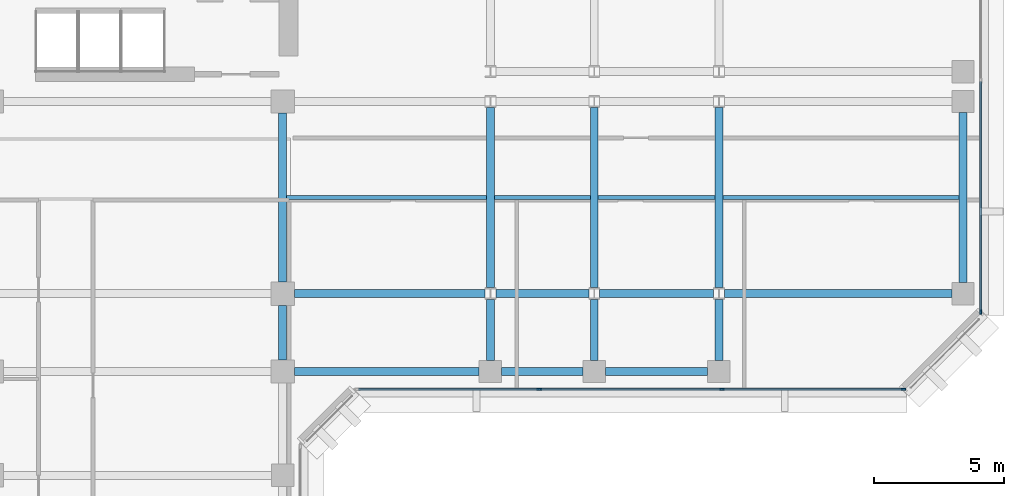
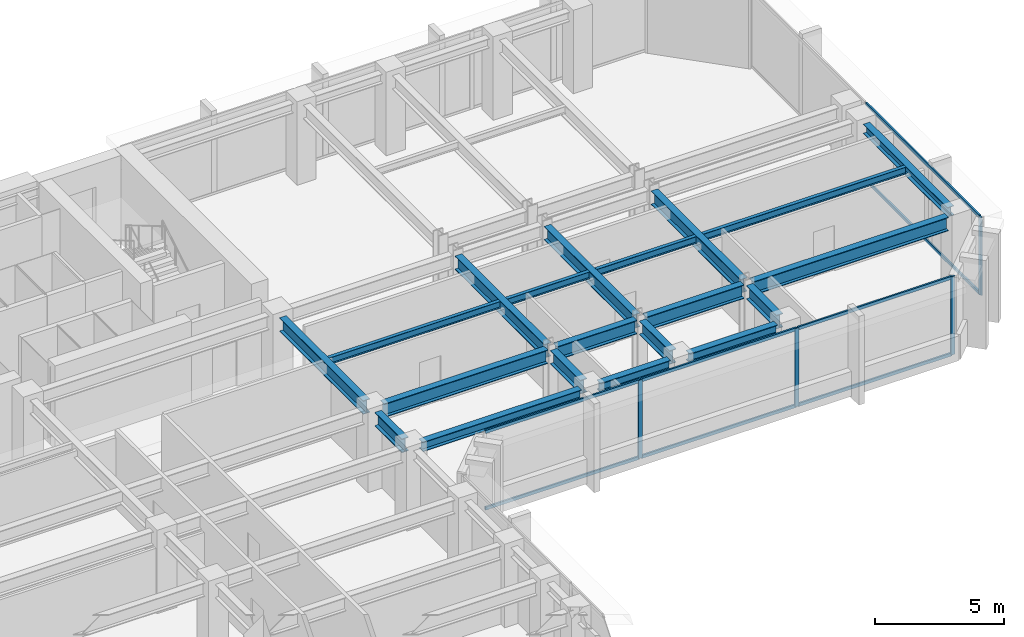
# One storey, part 3 of 12: 20 beams, 12 members, 2 elements without a shape of their own.
"""IFC4 building model written with IfcOpenShell, lengths in metres."""

from ifc_helpers import new_model, si_unit, direction, frame, origin, origin_2d, place, context, subcontext, project, spatial, rectangle, i_section, extrude, material, layer, layer_set, material_profile, profile_set, type_object, element, aggregate, save


model = new_model("IFC4")

# Units and contexts
model_context = context("Model", 3, precision=1e-05, world=origin(), true_north=direction((0.0, 1.0)))
body_context = subcontext(model_context, "Body", "Model", "MODEL_VIEW")
ifc_project = project(units=[si_unit("LENGTHUNIT", "METRE"), si_unit("AREAUNIT", "SQUARE_METRE"), si_unit("VOLUMEUNIT", "CUBIC_METRE"), si_unit("PLANEANGLEUNIT", "RADIAN"), si_unit("MASSUNIT", "GRAM", prefix="KILO")], contexts=[model_context])

# Site, building, storey
site_placement = place(None, origin())
site = spatial("IfcSite", under=ifc_project, at=site_placement, CompositionType="ELEMENT")
building_placement = place(site_placement, origin())
building = spatial("IfcBuilding", under=site, at=building_placement, Name="Kefirva Bronze Tower", CompositionType="ELEMENT")
storey_placement = place(building_placement, frame((0.0, 0.0, 114.510009765625)))
storey = spatial("IfcBuildingStorey", under=building, at=storey_placement, Name="L27", CompositionType="ELEMENT", Elevation=114.510009765625)

# Curtain wall, members
ifc_material_1 = material(Name="Bronze anodised aluminium", Category="aluminium")
ifc_layer = layer(ifc_material_1, 0.199951171875, Name="Bronze anodised aluminium")
ifc_layer_set = layer_set([ifc_layer], Name="Bronze anodised aluminium")
curtain_wall_type = type_object("IfcCurtainWallType", Name="Unitised Bronze Ribbon Curtain Wall Zone 2", PredefinedType="USERDEFINED", material=ifc_layer_set)
curtain_wall_1_placement = place(storey_placement, origin())
curtain_wall_1 = element("IfcCurtainWall", 1, at=curtain_wall_1_placement, inside=storey, type_object=curtain_wall_type, Name="L27 Curtain Wall 3", ObjectType="UNITISED CURTAIN WALL", PredefinedType="USERDEFINED")
ifc_material_profile_1 = material_profile(ifc_material_1, rectangle(XDim=0.074951171875, YDim=0.179931640625, at=origin_2d()), Name="ALU 75x180")
ifc_profile_set_1 = profile_set([ifc_material_profile_1], Name="Bronze anodised aluminium")
member_type_1 = type_object("IfcMemberType", Name="Bronze Mullion 75x180", PredefinedType="MULLION", material=ifc_profile_set_1)
member_1_placement = place(storey_placement, frame((33.0849609375, 22.1201171875, 0.0), z_axis=(0.0, 0.0, 1.0), x_axis=(0.0, 1.0, 0.0)))
member_1 = element("IfcMember", 2, at=member_1_placement, type_object=member_type_1, Name="CW-02 mullion 2", PredefinedType="MULLION", context=body_context, shape_type="SweptSolid", body=[
    extrude(rectangle(XDim=0.074951171875, YDim=0.179931640625, at=origin_2d()), origin(), (0.0, 0.0, 1.0), 3.7099609375),
])
member_2_placement = place(storey_placement, frame((40.114990234375, 22.1201171875, 0.0), z_axis=(0.0, 0.0, 1.0), x_axis=(0.0, 1.0, 0.0)))
member_2 = element("IfcMember", 3, at=member_2_placement, type_object=member_type_1, Name="CW-02 mullion 3", PredefinedType="MULLION", context=body_context, shape_type="SweptSolid", body=[
    extrude(rectangle(XDim=0.074951171875, YDim=0.179931640625, at=origin_2d()), origin(), (0.0, 0.0, 1.0), 3.7099609375),
])
member_3_placement = place(storey_placement, frame((47.107421875, 22.1201171875, 0.0), z_axis=(0.0, 0.0, 1.0), x_axis=(0.0, 1.0, 0.0)))
member_3 = element("IfcMember", 4, at=member_3_placement, type_object=member_type_1, Name="CW-02 mullion 4", PredefinedType="MULLION", context=body_context, shape_type="SweptSolid", body=[
    extrude(rectangle(XDim=0.074951171875, YDim=0.179931640625, at=origin_2d()), origin(), (0.0, 0.0, 1.0), 3.7099609375),
])

# Curtain wall, member
curtain_wall_2_placement = place(storey_placement, origin())
curtain_wall_2 = element("IfcCurtainWall", 5, at=curtain_wall_2_placement, inside=storey, type_object=curtain_wall_type, Name="L27 Curtain Wall 4", ObjectType="UNITISED CURTAIN WALL", PredefinedType="USERDEFINED")
member_4_placement = place(storey_placement, frame((50.080078125, 25.092529296875, 0.0), z_axis=(0.0, 0.0, 1.0), x_axis=(-1.0, 0.0, 0.0)))
member_4 = element("IfcMember", 6, at=member_4_placement, type_object=member_type_1, Name="CW-02 mullion 1", PredefinedType="MULLION", context=body_context, shape_type="SweptSolid", body=[
    extrude(rectangle(XDim=0.074951171875, YDim=0.179931640625, at=origin_2d()), origin(), (0.0, 0.0, 1.0), 3.7099609375),
])

# Member
ifc_material_profile_2 = material_profile(ifc_material_1, rectangle(XDim=0.074951171875, YDim=0.14990234375, at=origin_2d()), Name="ALU 75x150")
ifc_profile_set_2 = profile_set([ifc_material_profile_2], Name="Bronze anodised aluminium")
member_type_2 = type_object("IfcMemberType", Name="Bronze Transom 75x150", PredefinedType="USERDEFINED", material=ifc_profile_set_2)
member_5_placement = place(storey_placement, frame((26.1298828125, 22.1201171875, 0.03759765625), z_axis=(1.0, 0.0, 0.0), x_axis=(0.0, 1.0, 0.0)))
member_5 = element("IfcMember", 7, at=member_5_placement, type_object=member_type_2, Name="CW-02 transom 1.1", ObjectType="TRANSOM", PredefinedType="USERDEFINED", context=body_context, shape_type="SweptSolid", body=[
    extrude(rectangle(XDim=0.074951171875, YDim=0.14990234375, at=origin_2d()), origin(), (0.0, 0.0, 1.0), 6.917724609375),
])

member_6_placement = place(storey_placement, frame((26.1298828125, 22.1201171875, 3.672607421875), z_axis=(1.0, 0.0, 0.0), x_axis=(0.0, 1.0, 0.0)))
member_6 = element("IfcMember", 8, at=member_6_placement, type_object=member_type_2, Name="CW-02 transom 1.2", ObjectType="TRANSOM", PredefinedType="USERDEFINED", context=body_context, shape_type="SweptSolid", body=[
    extrude(rectangle(XDim=0.074951171875, YDim=0.14990234375, at=origin_2d()), origin(), (0.0, 0.0, 1.0), 6.917724609375),
])

member_7_placement = place(storey_placement, frame((33.12255859375, 22.1201171875, 0.03759765625), z_axis=(1.0, 0.0, 0.0), x_axis=(0.0, 1.0, 0.0)))
member_7 = element("IfcMember", 9, at=member_7_placement, type_object=member_type_2, Name="CW-02 transom 2.1", ObjectType="TRANSOM", PredefinedType="USERDEFINED", context=body_context, shape_type="SweptSolid", body=[
    extrude(rectangle(XDim=0.074951171875, YDim=0.14990234375, at=origin_2d()), origin(), (0.0, 0.0, 1.0), 6.954833984375),
])

member_8_placement = place(storey_placement, frame((33.12255859375, 22.1201171875, 3.672607421875), z_axis=(1.0, 0.0, 0.0), x_axis=(0.0, 1.0, 0.0)))
member_8 = element("IfcMember", 10, at=member_8_placement, type_object=member_type_2, Name="CW-02 transom 2.2", ObjectType="TRANSOM", PredefinedType="USERDEFINED", context=body_context, shape_type="SweptSolid", body=[
    extrude(rectangle(XDim=0.074951171875, YDim=0.14990234375, at=origin_2d()), origin(), (0.0, 0.0, 1.0), 6.954833984375),
])

member_9_placement = place(storey_placement, frame((40.152587890625, 22.1201171875, 0.03759765625), z_axis=(1.0, 0.0, 0.0), x_axis=(0.0, 1.0, 0.0)))
member_9 = element("IfcMember", 11, at=member_9_placement, type_object=member_type_2, Name="CW-02 transom 3.1", ObjectType="TRANSOM", PredefinedType="USERDEFINED", context=body_context, shape_type="SweptSolid", body=[
    extrude(rectangle(XDim=0.074951171875, YDim=0.14990234375, at=origin_2d()), origin(), (0.0, 0.0, 1.0), 6.91748046875),
])

member_10_placement = place(storey_placement, frame((40.152587890625, 22.1201171875, 3.672607421875), z_axis=(1.0, 0.0, 0.0), x_axis=(0.0, 1.0, 0.0)))
member_10 = element("IfcMember", 12, at=member_10_placement, type_object=member_type_2, Name="CW-02 transom 3.2", ObjectType="TRANSOM", PredefinedType="USERDEFINED", context=body_context, shape_type="SweptSolid", body=[
    extrude(rectangle(XDim=0.074951171875, YDim=0.14990234375, at=origin_2d()), origin(), (0.0, 0.0, 1.0), 6.91748046875),
])

aggregate(curtain_wall_1, [member_1, member_2, member_3, member_5, member_6, member_7, member_8, member_9, member_10])

member_11_placement = place(storey_placement, frame((50.080078125, 25.1298828125, 0.03759765625), z_axis=(0.0, 1.0, 0.0), x_axis=(-1.0, 0.0, 0.0)))
member_11 = element("IfcMember", 13, at=member_11_placement, type_object=member_type_2, Name="CW-02 transom 1.1", ObjectType="TRANSOM", PredefinedType="USERDEFINED", context=body_context, shape_type="SweptSolid", body=[
    extrude(rectangle(XDim=0.074951171875, YDim=0.14990234375, at=origin_2d()), origin(), (0.0, 0.0, 1.0), 8.83251953125),
])

member_12_placement = place(storey_placement, frame((50.080078125, 25.1298828125, 3.672607421875), z_axis=(0.0, 1.0, 0.0), x_axis=(-1.0, 0.0, 0.0)))
member_12 = element("IfcMember", 14, at=member_12_placement, type_object=member_type_2, Name="CW-02 transom 1.2", ObjectType="TRANSOM", PredefinedType="USERDEFINED", context=body_context, shape_type="SweptSolid", body=[
    extrude(rectangle(XDim=0.074951171875, YDim=0.14990234375, at=origin_2d()), origin(), (0.0, 0.0, 1.0), 8.83251953125),
])

aggregate(curtain_wall_2, [member_4, member_11, member_12])

# Beams
ifc_material_2 = material(Name="Steel S355", Category="steel")
ifc_material_profile_3 = material_profile(ifc_material_2, i_section(OverallWidth=0.159912109375, OverallDepth=0.330078125, WebThickness=0.007568359375, FlangeThickness=0.011474609375, at=origin_2d()), Name="IPE 330")
ifc_profile_set_3 = profile_set([ifc_material_profile_3], Name="Steel S355")
beam_type_1 = type_object("IfcBeamType", Name="Steel Floor Joist IPE 330", PredefinedType="JOIST", material=ifc_profile_set_3)
beam_1_placement = place(storey_placement, frame((23.35009765625, 29.5, 3.544921875), z_axis=(1.0, 0.0, 0.0), x_axis=(0.0, 1.0, 0.0)))
element("IfcBeam", 15, at=beam_1_placement, inside=storey, type_object=beam_type_1, Name="L27 JST-L27-23-295", PredefinedType="JOIST", context=body_context, shape_type="SweptSolid", body=[
    extrude(i_section(OverallWidth=0.159912109375, OverallDepth=0.330078125, WebThickness=0.007568359375, FlangeThickness=0.011474609375, at=origin_2d()), origin(), (0.0, 0.0, 1.0), 7.699951171875),
])
beam_2_placement = place(storey_placement, frame((31.35009765625, 29.5, 3.544921875), z_axis=(1.0, 0.0, 0.0), x_axis=(0.0, 1.0, 0.0)))
element("IfcBeam", 16, at=beam_2_placement, inside=storey, type_object=beam_type_1, Name="L27 JST-L27-31-295", PredefinedType="JOIST", context=body_context, shape_type="SweptSolid", body=[
    extrude(i_section(OverallWidth=0.159912109375, OverallDepth=0.330078125, WebThickness=0.007568359375, FlangeThickness=0.011474609375, at=origin_2d()), origin(), (0.0, 0.0, 1.0), 3.699951171875),
])
beam_3_placement = place(storey_placement, frame((35.35009765625, 29.5, 3.544921875), z_axis=(1.0, 0.0, 0.0), x_axis=(0.0, 1.0, 0.0)))
element("IfcBeam", 17, at=beam_3_placement, inside=storey, type_object=beam_type_1, Name="L27 JST-L27-35-295", PredefinedType="JOIST", context=body_context, shape_type="SweptSolid", body=[
    extrude(i_section(OverallWidth=0.159912109375, OverallDepth=0.330078125, WebThickness=0.007568359375, FlangeThickness=0.011474609375, at=origin_2d()), origin(), (0.0, 0.0, 1.0), 4.5),
])
beam_4_placement = place(storey_placement, frame((40.14990234375, 29.5, 3.544921875), z_axis=(1.0, 0.0, 0.0), x_axis=(0.0, 1.0, 0.0)))
element("IfcBeam", 18, at=beam_4_placement, inside=storey, type_object=beam_type_1, Name="L27 JST-L27-40-295", PredefinedType="JOIST", context=body_context, shape_type="SweptSolid", body=[
    extrude(i_section(OverallWidth=0.159912109375, OverallDepth=0.330078125, WebThickness=0.007568359375, FlangeThickness=0.011474609375, at=origin_2d()), origin(), (0.0, 0.0, 1.0), 9.10009765625),
])
ifc_material_profile_4 = material_profile(ifc_material_2, i_section(OverallWidth=0.300048828125, OverallDepth=0.64990234375, WebThickness=0.01611328125, FlangeThickness=0.031005859375, at=origin_2d()), Name="HEB 650")
ifc_profile_set_4 = profile_set([ifc_material_profile_4], Name="Steel S355")
beam_type_2 = type_object("IfcBeamType", Name="Steel Girder HEB 650", PredefinedType="USERDEFINED", material=ifc_profile_set_4)
beam_5_placement = place(storey_placement, frame((23.64990234375, 25.800048828125, 3.385009765625), z_axis=(1.0, 0.0, 0.0), x_axis=(0.0, 1.0, 0.0)))
element("IfcBeam", 19, at=beam_5_placement, inside=storey, type_object=beam_type_2, Name="L27 BM-L27-EW-23-258", ObjectType="GIRDER", PredefinedType="USERDEFINED", context=body_context, shape_type="SweptSolid", body=[
    extrude(i_section(OverallWidth=0.300048828125, OverallDepth=0.64990234375, WebThickness=0.01611328125, FlangeThickness=0.031005859375, at=origin_2d()), origin(), (0.0, 0.0, 1.0), 7.341064453125),
])
beam_6_placement = place(storey_placement, frame((31.408935546875, 25.800048828125, 3.385009765625), z_axis=(1.0, 0.0, 0.0), x_axis=(0.0, 1.0, 0.0)))
element("IfcBeam", 20, at=beam_6_placement, inside=storey, type_object=beam_type_2, Name="L27 BM-L27-EW-31-258", ObjectType="GIRDER", PredefinedType="USERDEFINED", context=body_context, shape_type="SweptSolid", body=[
    extrude(i_section(OverallWidth=0.300048828125, OverallDepth=0.64990234375, WebThickness=0.01611328125, FlangeThickness=0.031005859375, at=origin_2d()), origin(), (0.0, 0.0, 1.0), 3.58203125),
])
beam_7_placement = place(storey_placement, frame((35.408935546875, 25.800048828125, 3.385009765625), z_axis=(1.0, 0.0, 0.0), x_axis=(0.0, 1.0, 0.0)))
element("IfcBeam", 21, at=beam_7_placement, inside=storey, type_object=beam_type_2, Name="L27 BM-L27-EW-35-258", ObjectType="GIRDER", PredefinedType="USERDEFINED", context=body_context, shape_type="SweptSolid", body=[
    extrude(i_section(OverallWidth=0.300048828125, OverallDepth=0.64990234375, WebThickness=0.01611328125, FlangeThickness=0.031005859375, at=origin_2d()), origin(), (0.0, 0.0, 1.0), 4.382080078125),
])
beam_8_placement = place(storey_placement, frame((40.208984375, 25.800048828125, 3.385009765625), z_axis=(1.0, 0.0, 0.0), x_axis=(0.0, 1.0, 0.0)))
element("IfcBeam", 22, at=beam_8_placement, inside=storey, type_object=beam_type_2, Name="L27 BM-L27-EW-40-258", ObjectType="GIRDER", PredefinedType="USERDEFINED", context=body_context, shape_type="SweptSolid", body=[
    extrude(i_section(OverallWidth=0.300048828125, OverallDepth=0.64990234375, WebThickness=0.01611328125, FlangeThickness=0.031005859375, at=origin_2d()), origin(), (0.0, 0.0, 1.0), 8.760986328125),
])
beam_9_placement = place(storey_placement, frame((23.199951171875, 23.25, 3.385009765625), z_axis=(0.0, 1.0, 0.0), x_axis=(-1.0, 0.0, 0.0)))
element("IfcBeam", 23, at=beam_9_placement, inside=storey, type_object=beam_type_2, Name="L27 BM-L27-NS-232-22", ObjectType="GIRDER", PredefinedType="USERDEFINED", context=body_context, shape_type="SweptSolid", body=[
    extrude(i_section(OverallWidth=0.300048828125, OverallDepth=0.64990234375, WebThickness=0.01611328125, FlangeThickness=0.031005859375, at=origin_2d()), origin(), (0.0, 0.0, 1.0), 2.10009765625),
])
beam_10_placement = place(storey_placement, frame((23.199951171875, 26.25, 3.385009765625), z_axis=(0.0, 1.0, 0.0), x_axis=(-1.0, 0.0, 0.0)))
element("IfcBeam", 24, at=beam_10_placement, inside=storey, type_object=beam_type_2, Name="L27 BM-L27-NS-232-25", ObjectType="GIRDER", PredefinedType="USERDEFINED", context=body_context, shape_type="SweptSolid", body=[
    extrude(i_section(OverallWidth=0.300048828125, OverallDepth=0.64990234375, WebThickness=0.01611328125, FlangeThickness=0.031005859375, at=origin_2d()), origin(), (0.0, 0.0, 1.0), 6.5),
])
beam_11_placement = place(storey_placement, frame((31.199951171875, 23.22998046875, 3.385009765625), z_axis=(0.0, 1.0, 0.0), x_axis=(-1.0, 0.0, 0.0)))
element("IfcBeam", 25, at=beam_11_placement, inside=storey, type_object=beam_type_2, Name="L27 BM-L27-NS-312-22", ObjectType="GIRDER", PredefinedType="USERDEFINED", context=body_context, shape_type="SweptSolid", body=[
    extrude(i_section(OverallWidth=0.300048828125, OverallDepth=0.64990234375, WebThickness=0.01611328125, FlangeThickness=0.031005859375, at=origin_2d()), origin(), (0.0, 0.0, 1.0), 2.342529296875),
])
beam_12_placement = place(storey_placement, frame((31.199951171875, 26.027587890625, 3.385009765625), z_axis=(0.0, 1.0, 0.0), x_axis=(-1.0, 0.0, 0.0)))
element("IfcBeam", 26, at=beam_12_placement, inside=storey, type_object=beam_type_2, Name="L27 BM-L27-NS-312-25", ObjectType="GIRDER", PredefinedType="USERDEFINED", context=body_context, shape_type="SweptSolid", body=[
    extrude(i_section(OverallWidth=0.300048828125, OverallDepth=0.64990234375, WebThickness=0.01611328125, FlangeThickness=0.031005859375, at=origin_2d()), origin(), (0.0, 0.0, 1.0), 6.94482421875),
])
beam_13_placement = place(storey_placement, frame((35.199951171875, 23.22998046875, 3.385009765625), z_axis=(0.0, 1.0, 0.0), x_axis=(-1.0, 0.0, 0.0)))
element("IfcBeam", 27, at=beam_13_placement, inside=storey, type_object=beam_type_2, Name="L27 BM-L27-NS-352-22", ObjectType="GIRDER", PredefinedType="USERDEFINED", context=body_context, shape_type="SweptSolid", body=[
    extrude(i_section(OverallWidth=0.300048828125, OverallDepth=0.64990234375, WebThickness=0.01611328125, FlangeThickness=0.031005859375, at=origin_2d()), origin(), (0.0, 0.0, 1.0), 2.342529296875),
])
beam_14_placement = place(storey_placement, frame((35.199951171875, 26.027587890625, 3.385009765625), z_axis=(0.0, 1.0, 0.0), x_axis=(-1.0, 0.0, 0.0)))
element("IfcBeam", 28, at=beam_14_placement, inside=storey, type_object=beam_type_2, Name="L27 BM-L27-NS-352-25", ObjectType="GIRDER", PredefinedType="USERDEFINED", context=body_context, shape_type="SweptSolid", body=[
    extrude(i_section(OverallWidth=0.300048828125, OverallDepth=0.64990234375, WebThickness=0.01611328125, FlangeThickness=0.031005859375, at=origin_2d()), origin(), (0.0, 0.0, 1.0), 6.94482421875),
])
beam_15_placement = place(storey_placement, frame((40.0, 23.22998046875, 3.385009765625), z_axis=(0.0, 1.0, 0.0), x_axis=(-1.0, 0.0, 0.0)))
element("IfcBeam", 29, at=beam_15_placement, inside=storey, type_object=beam_type_2, Name="L27 BM-L27-NS-400-22", ObjectType="GIRDER", PredefinedType="USERDEFINED", context=body_context, shape_type="SweptSolid", body=[
    extrude(i_section(OverallWidth=0.300048828125, OverallDepth=0.64990234375, WebThickness=0.01611328125, FlangeThickness=0.031005859375, at=origin_2d()), origin(), (0.0, 0.0, 1.0), 2.342529296875),
])
beam_16_placement = place(storey_placement, frame((40.0, 26.027587890625, 3.385009765625), z_axis=(0.0, 1.0, 0.0), x_axis=(-1.0, 0.0, 0.0)))
element("IfcBeam", 30, at=beam_16_placement, inside=storey, type_object=beam_type_2, Name="L27 BM-L27-NS-400-25", ObjectType="GIRDER", PredefinedType="USERDEFINED", context=body_context, shape_type="SweptSolid", body=[
    extrude(i_section(OverallWidth=0.300048828125, OverallDepth=0.64990234375, WebThickness=0.01611328125, FlangeThickness=0.031005859375, at=origin_2d()), origin(), (0.0, 0.0, 1.0), 6.94482421875),
])
ifc_material_profile_5 = material_profile(ifc_material_2, i_section(OverallWidth=0.300048828125, OverallDepth=0.449951171875, WebThickness=0.013916015625, FlangeThickness=0.02587890625, at=origin_2d()), Name="HEB 450")
ifc_profile_set_5 = profile_set([ifc_material_profile_5], Name="Steel S355")
beam_type_3 = type_object("IfcBeamType", Name="Steel Spandrel HEB 450 Ext", PredefinedType="SPANDREL", material=ifc_profile_set_5)
beam_17_placement = place(storey_placement, frame((23.64990234375, 22.800048828125, 3.485107421875), z_axis=(1.0, 0.0, 0.0), x_axis=(0.0, 1.0, 0.0)))
element("IfcBeam", 31, at=beam_17_placement, inside=storey, type_object=beam_type_3, Name="L27 BM-L27-EW-23-228", PredefinedType="SPANDREL", context=body_context, shape_type="SweptSolid", body=[
    extrude(i_section(OverallWidth=0.300048828125, OverallDepth=0.449951171875, WebThickness=0.013916015625, FlangeThickness=0.02587890625, at=origin_2d()), origin(), (0.0, 0.0, 1.0), 7.1201171875),
])
beam_18_placement = place(storey_placement, frame((31.6298828125, 22.800048828125, 3.485107421875), z_axis=(1.0, 0.0, 0.0), x_axis=(0.0, 1.0, 0.0)))
element("IfcBeam", 32, at=beam_18_placement, inside=storey, type_object=beam_type_3, Name="L27 BM-L27-EW-31-228", PredefinedType="SPANDREL", context=body_context, shape_type="SweptSolid", body=[
    extrude(i_section(OverallWidth=0.300048828125, OverallDepth=0.449951171875, WebThickness=0.013916015625, FlangeThickness=0.02587890625, at=origin_2d()), origin(), (0.0, 0.0, 1.0), 3.14013671875),
])
beam_19_placement = place(storey_placement, frame((35.6298828125, 22.800048828125, 3.485107421875), z_axis=(1.0, 0.0, 0.0), x_axis=(0.0, 1.0, 0.0)))
element("IfcBeam", 33, at=beam_19_placement, inside=storey, type_object=beam_type_3, Name="L27 BM-L27-EW-35-228", PredefinedType="SPANDREL", context=body_context, shape_type="SweptSolid", body=[
    extrude(i_section(OverallWidth=0.300048828125, OverallDepth=0.449951171875, WebThickness=0.013916015625, FlangeThickness=0.02587890625, at=origin_2d()), origin(), (0.0, 0.0, 1.0), 3.940185546875),
])
beam_20_placement = place(storey_placement, frame((49.39990234375, 26.22998046875, 3.485107421875), z_axis=(0.0, 1.0, 0.0), x_axis=(-1.0, 0.0, 0.0)))
element("IfcBeam", 34, at=beam_20_placement, inside=storey, type_object=beam_type_3, Name="L27 BM-L27-NS-494-25", PredefinedType="SPANDREL", context=body_context, shape_type="SweptSolid", body=[
    extrude(i_section(OverallWidth=0.300048828125, OverallDepth=0.449951171875, WebThickness=0.013916015625, FlangeThickness=0.02587890625, at=origin_2d()), origin(), (0.0, 0.0, 1.0), 6.5400390625),
])

save(model, "model.ifc")
